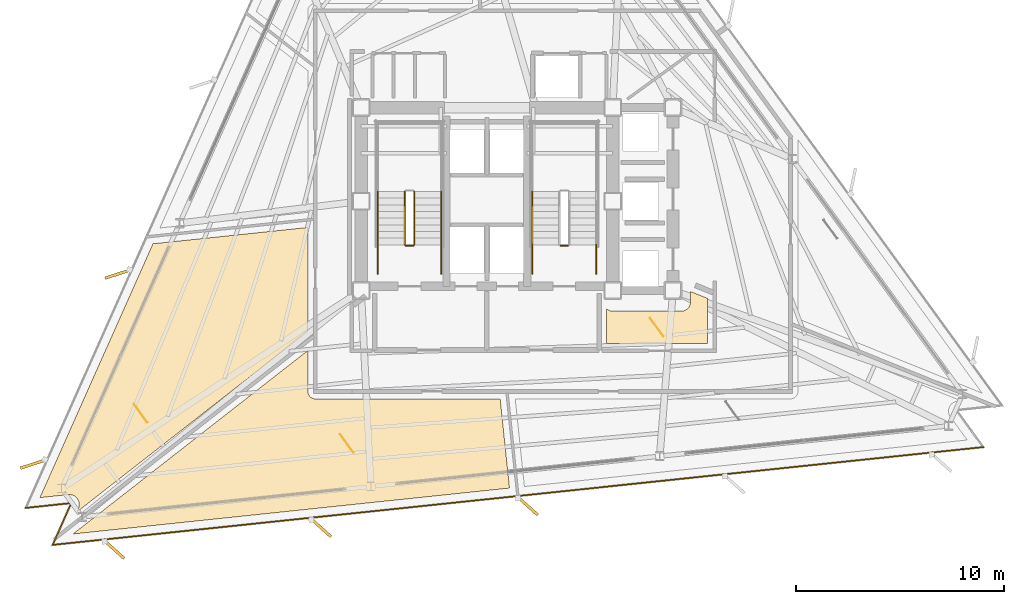
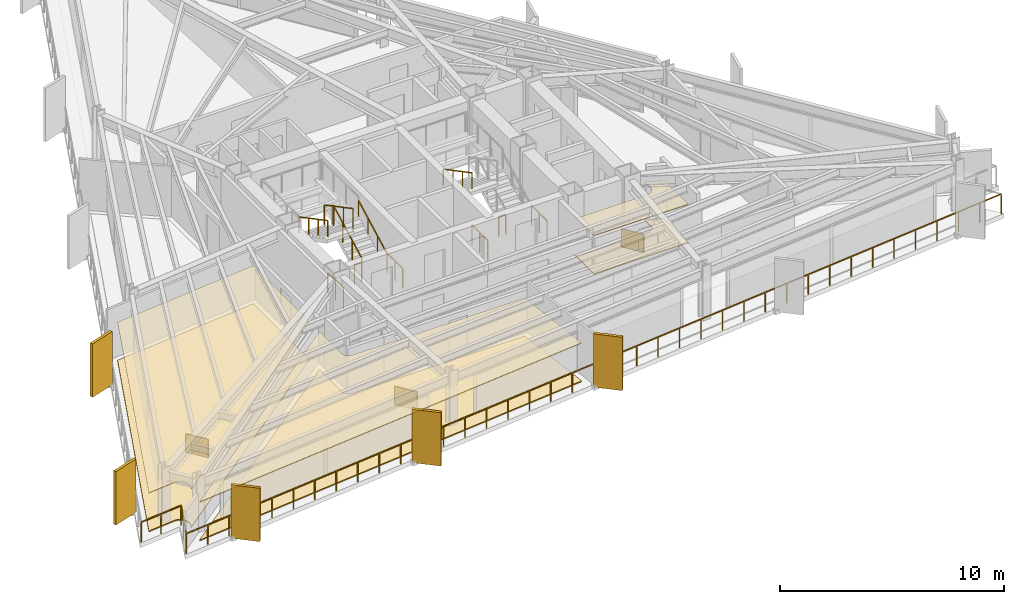
# One storey, part 10 of 12: 12 railings, 9 coverings, 5 shading devices.
"""IFC4 building model written with IfcOpenShell, lengths in metres."""

from ifc_helpers import new_model, si_unit, direction, frame, origin, origin_2d, place, context, subcontext, project, spatial, polyline, rectangle, outline, extrude, material, layer, layer_set, type_object, element, save


model = new_model("IFC4")

# Units and contexts
model_context = context("Model", 3, precision=1e-05, world=origin(), true_north=direction((0.0, 1.0)))
body_context = subcontext(model_context, "Body", "Model", "MODEL_VIEW")
ifc_project = project(units=[si_unit("LENGTHUNIT", "METRE"), si_unit("AREAUNIT", "SQUARE_METRE"), si_unit("VOLUMEUNIT", "CUBIC_METRE"), si_unit("PLANEANGLEUNIT", "RADIAN"), si_unit("MASSUNIT", "GRAM", prefix="KILO")], contexts=[model_context])

# Site, building, storey
site_placement = place(None, origin())
site = spatial("IfcSite", under=ifc_project, at=site_placement, CompositionType="ELEMENT")
building_placement = place(site_placement, origin())
building = spatial("IfcBuilding", under=site, at=building_placement, Name="Rocaltana Carrier Exchange", CompositionType="ELEMENT")
storey_placement = place(building_placement, frame((0.0, 0.0, 107.679931640625)))
storey = spatial("IfcBuildingStorey", under=building, at=storey_placement, Name="L33", CompositionType="ELEMENT", Elevation=107.679931640625)

# Coverings
ifc_material_1 = material(Name="Calcium Sulphate & Aluminium Pedestal", Category="aluminium")
ifc_layer_1 = layer(ifc_material_1, 0.06005859375)
ifc_layer_set_1 = layer_set([ifc_layer_1], Name="Calcium Sulphate & Aluminium Pedestal")
covering_type_1 = type_object("IfcCoveringType", Name="Anti-Static Raised Exchange Access Floor 60", PredefinedType="FLOORING", material=ifc_layer_set_1)
covering_1_placement = place(storey_placement, origin())
element("IfcCovering", 1, at=covering_1_placement, inside=storey, type_object=covering_type_1, Name="L33 Cloud Architecture Office Finish Floor", PredefinedType="FLOORING", context=body_context, shape_type="SweptSolid", body=[
    extrude(outline(polyline([(-19.646240234375, -14.78759765625), (-19.640869140625, -14.774658203125), (-19.633544921875, -14.756103515625), (-19.625, -14.7294921875), (-19.61962890625, -14.71044921875), (-19.613525390625, -14.68310546875), (-19.610107421875, -14.66357421875), (-19.606689453125, -14.6357421875), (-19.60546875, -14.615966796875), (-19.60498046875, -14.587890625), (-19.60546875, -14.568115234375), (-19.607666015625, -14.540283203125), (-19.6103515625, -14.5205078125), (-19.615234375, -14.492919921875), (-19.619873046875, -14.4736328125), (-19.62744140625, -14.44677734375), (-19.6337890625, -14.427978515625), (-19.644287109375, -14.402099609375), (-19.652587890625, -14.3837890625), (-19.665283203125, -14.359130859375), (-19.675537109375, -14.341796875), (-19.690673828125, -14.318603515625), (-19.702392578125, -14.30224609375), (-19.719970703125, -14.280517578125), (-19.733154296875, -14.265625), (-19.752685546875, -14.245849609375), (-19.767578125, -14.232421875), (-19.7890625, -14.214599609375), (-19.804931640625, -14.20263671875), (-19.828125, -14.18701171875), (-19.84521484375, -14.176513671875), (-19.86962890625, -14.163330078125), (-19.8876953125, -14.15478515625), (-19.91357421875, -14.14404296875), (-19.932373046875, -14.137451171875), (-19.958984375, -14.12939453125), (-19.978271484375, -14.12451171875), (-20.005615234375, -14.119140625), (-20.025390625, -14.1162109375), (-20.05322265625, -14.113525390625), (-20.072998046875, -14.11279296875), (-20.10107421875, -14.11279296875), (-20.12109375, -14.114013671875), (-20.135009765625, -14.114990234375), (-21.49609375, -14.258056640625), (-16.060791015625, -2.050048828125), (-8.610107421875, -1.266845703125), (-8.610107421875, -6.27001953125), (-19.7177734375, -14.9482421875), (-19.646240234375, -14.78759765625)])), origin(), (0.0, 0.0, 1.0), 0.06005859375),
])
covering_2_placement = place(storey_placement, origin())
element("IfcCovering", 2, at=covering_2_placement, inside=storey, type_object=covering_type_1, Name="L33 Network Operations Office Finish Floor", PredefinedType="FLOORING", context=body_context, shape_type="SweptSolid", body=[
    extrude(outline(polyline([(-19.902587890625, -16.00634765625), (-8.610107421875, -7.18359375), (-8.610107421875, -9.14990234375), (-8.609619140625, -9.163818359375), (-8.609375, -9.171630859375), (-8.606689453125, -9.198974609375), (-8.60546875, -9.206787109375), (-8.60009765625, -9.233642578125), (-8.59814453125, -9.2412109375), (-8.590087890625, -9.267578125), (-8.58740234375, -9.27490234375), (-8.576904296875, -9.30029296875), (-8.57373046875, -9.307373046875), (-8.560791015625, -9.331787109375), (-8.556640625, -9.33837890625), (-8.54150390625, -9.361083984375), (-8.53662109375, -9.367431640625), (-8.519287109375, -9.388916015625), (-8.513916015625, -9.39453125), (-8.49462890625, -9.4140625), (-8.48876953125, -9.419189453125), (-8.467529296875, -9.436767578125), (-8.461181640625, -9.44140625), (-8.4384765625, -9.456787109375), (-8.431640625, -9.460693359375), (-8.407470703125, -9.4736328125), (-8.400390625, -9.47705078125), (-8.375, -9.487548828125), (-8.36767578125, -9.490234375), (-8.34130859375, -9.498291015625), (-8.33349609375, -9.5), (-8.306640625, -9.50537109375), (-8.298828125, -9.506591796875), (-8.271484375, -9.50927734375), (-8.263671875, -9.509765625), (-8.25, -9.510009765625), (0.6376953125, -9.510009765625), (1.08837890625, -13.800048828125), (-19.902587890625, -16.00634765625)])), origin(), (0.0, 0.0, 1.0), 0.06005859375),
])
covering_3_placement = place(storey_placement, origin())
element("IfcCovering", 3, at=covering_3_placement, inside=storey, type_object=covering_type_1, Name="L33 Optical Switching Laboratory Finish Floor", PredefinedType="FLOORING", context=body_context, shape_type="SweptSolid", body=[
    extrude(outline(polyline([(5.739990234375, -6.840087890625), (5.739990234375, -5.161865234375), (5.748779296875, -5.170654296875), (5.760498046875, -5.18115234375), (5.78173828125, -5.198486328125), (5.794189453125, -5.2080078125), (5.817138671875, -5.22314453125), (5.83056640625, -5.231201171875), (5.85498046875, -5.244140625), (5.869140625, -5.2509765625), (5.894287109375, -5.261474609375), (5.9091796875, -5.2666015625), (5.935546875, -5.274658203125), (5.95068359375, -5.278564453125), (5.977783203125, -5.283935546875), (5.9931640625, -5.2861328125), (6.0205078125, -5.288818359375), (6.036376953125, -5.289794921875), (6.050048828125, -5.2900390625), (9.35009765625, -5.2900390625), (9.36376953125, -5.289794921875), (9.37939453125, -5.288818359375), (9.40673828125, -5.2861328125), (9.42236328125, -5.283935546875), (9.44921875, -5.278564453125), (9.464599609375, -5.274658203125), (9.49072265625, -5.2666015625), (9.505615234375, -5.261474609375), (9.531005859375, -5.2509765625), (9.545166015625, -5.244140625), (9.5693359375, -5.231201171875), (9.582763671875, -5.22314453125), (9.605712890625, -5.2080078125), (9.618408203125, -5.198486328125), (9.639404296875, -5.18115234375), (9.651123046875, -5.170654296875), (9.670654296875, -5.151123046875), (9.68115234375, -5.139404296875), (9.698486328125, -5.118408203125), (9.7080078125, -5.105712890625), (9.72314453125, -5.082763671875), (9.731201171875, -5.0693359375), (9.744140625, -5.045166015625), (9.7509765625, -5.031005859375), (9.761474609375, -5.005615234375), (9.7666015625, -4.99072265625), (9.774658203125, -4.964599609375), (9.778564453125, -4.94921875), (9.783935546875, -4.92236328125), (9.7861328125, -4.90673828125), (9.788818359375, -4.87939453125), (9.789794921875, -4.86376953125), (9.7900390625, -4.85009765625), (9.7900390625, -4.34375), (10.60009765625, -4.6708984375), (10.60009765625, -6.840087890625), (5.739990234375, -6.840087890625)])), origin(), (0.0, 0.0, 1.0), 0.06005859375),
])
ifc_material_2 = material(Name="Mineral Fibre & Powder-Coated Aluminium", Category="aluminium")
ifc_layer_2 = layer(ifc_material_2, 0.044921875)
ifc_layer_set_2 = layer_set([ifc_layer_2], Name="Mineral Fibre & Powder-Coated Aluminium")
covering_type_2 = type_object("IfcCoveringType", Name="Micro-Perforated Acoustic Ceiling 45", PredefinedType="CEILING", material=ifc_layer_set_2)
covering_4_placement = place(storey_placement, frame((0.0, 0.0, 2.093017578125)))
element("IfcCovering", 4, at=covering_4_placement, inside=storey, type_object=covering_type_2, Name="L33 Cloud Architecture Office Acoustic Ceiling", PredefinedType="CEILING", context=body_context, shape_type="SweptSolid", body=[
    extrude(outline(polyline([(-19.646240234375, -14.78759765625), (-19.640869140625, -14.774658203125), (-19.633544921875, -14.756103515625), (-19.625, -14.7294921875), (-19.61962890625, -14.71044921875), (-19.613525390625, -14.68310546875), (-19.610107421875, -14.66357421875), (-19.606689453125, -14.6357421875), (-19.60546875, -14.615966796875), (-19.60498046875, -14.587890625), (-19.60546875, -14.568115234375), (-19.607666015625, -14.540283203125), (-19.6103515625, -14.5205078125), (-19.615234375, -14.492919921875), (-19.619873046875, -14.4736328125), (-19.62744140625, -14.44677734375), (-19.6337890625, -14.427978515625), (-19.644287109375, -14.402099609375), (-19.652587890625, -14.3837890625), (-19.665283203125, -14.359130859375), (-19.675537109375, -14.341796875), (-19.690673828125, -14.318603515625), (-19.702392578125, -14.30224609375), (-19.719970703125, -14.280517578125), (-19.733154296875, -14.265625), (-19.752685546875, -14.245849609375), (-19.767578125, -14.232421875), (-19.7890625, -14.214599609375), (-19.804931640625, -14.20263671875), (-19.828125, -14.18701171875), (-19.84521484375, -14.176513671875), (-19.86962890625, -14.163330078125), (-19.8876953125, -14.15478515625), (-19.91357421875, -14.14404296875), (-19.932373046875, -14.137451171875), (-19.958984375, -14.12939453125), (-19.978271484375, -14.12451171875), (-20.005615234375, -14.119140625), (-20.025390625, -14.1162109375), (-20.05322265625, -14.113525390625), (-20.072998046875, -14.11279296875), (-20.10107421875, -14.11279296875), (-20.12109375, -14.114013671875), (-20.135009765625, -14.114990234375), (-21.49609375, -14.258056640625), (-16.060791015625, -2.050048828125), (-8.610107421875, -1.266845703125), (-8.610107421875, -6.27001953125), (-19.7177734375, -14.9482421875), (-19.646240234375, -14.78759765625)])), origin(), (0.0, 0.0, 1.0), 0.045166015625),
])
covering_5_placement = place(storey_placement, frame((0.0, 0.0, 2.093017578125)))
element("IfcCovering", 5, at=covering_5_placement, inside=storey, type_object=covering_type_2, Name="L33 Network Operations Office Acoustic Ceiling", PredefinedType="CEILING", context=body_context, shape_type="SweptSolid", body=[
    extrude(outline(polyline([(-19.902587890625, -16.00634765625), (-8.610107421875, -7.18359375), (-8.610107421875, -9.14990234375), (-8.609619140625, -9.163818359375), (-8.609375, -9.171630859375), (-8.606689453125, -9.198974609375), (-8.60546875, -9.206787109375), (-8.60009765625, -9.233642578125), (-8.59814453125, -9.2412109375), (-8.590087890625, -9.267578125), (-8.58740234375, -9.27490234375), (-8.576904296875, -9.30029296875), (-8.57373046875, -9.307373046875), (-8.560791015625, -9.331787109375), (-8.556640625, -9.33837890625), (-8.54150390625, -9.361083984375), (-8.53662109375, -9.367431640625), (-8.519287109375, -9.388916015625), (-8.513916015625, -9.39453125), (-8.49462890625, -9.4140625), (-8.48876953125, -9.419189453125), (-8.467529296875, -9.436767578125), (-8.461181640625, -9.44140625), (-8.4384765625, -9.456787109375), (-8.431640625, -9.460693359375), (-8.407470703125, -9.4736328125), (-8.400390625, -9.47705078125), (-8.375, -9.487548828125), (-8.36767578125, -9.490234375), (-8.34130859375, -9.498291015625), (-8.33349609375, -9.5), (-8.306640625, -9.50537109375), (-8.298828125, -9.506591796875), (-8.271484375, -9.50927734375), (-8.263671875, -9.509765625), (-8.25, -9.510009765625), (0.6376953125, -9.510009765625), (1.08837890625, -13.800048828125), (-19.902587890625, -16.00634765625)])), origin(), (0.0, 0.0, 1.0), 0.045166015625),
])
covering_6_placement = place(storey_placement, frame((0.0, 0.0, 2.093017578125)))
element("IfcCovering", 6, at=covering_6_placement, inside=storey, type_object=covering_type_2, Name="L33 Optical Switching Laboratory Acoustic Ceiling", PredefinedType="CEILING", context=body_context, shape_type="SweptSolid", body=[
    extrude(outline(polyline([(5.739990234375, -6.840087890625), (5.739990234375, -5.161865234375), (5.748779296875, -5.170654296875), (5.760498046875, -5.18115234375), (5.78173828125, -5.198486328125), (5.794189453125, -5.2080078125), (5.817138671875, -5.22314453125), (5.83056640625, -5.231201171875), (5.85498046875, -5.244140625), (5.869140625, -5.2509765625), (5.894287109375, -5.261474609375), (5.9091796875, -5.2666015625), (5.935546875, -5.274658203125), (5.95068359375, -5.278564453125), (5.977783203125, -5.283935546875), (5.9931640625, -5.2861328125), (6.0205078125, -5.288818359375), (6.036376953125, -5.289794921875), (6.050048828125, -5.2900390625), (9.35009765625, -5.2900390625), (9.36376953125, -5.289794921875), (9.37939453125, -5.288818359375), (9.40673828125, -5.2861328125), (9.42236328125, -5.283935546875), (9.44921875, -5.278564453125), (9.464599609375, -5.274658203125), (9.49072265625, -5.2666015625), (9.505615234375, -5.261474609375), (9.531005859375, -5.2509765625), (9.545166015625, -5.244140625), (9.5693359375, -5.231201171875), (9.582763671875, -5.22314453125), (9.605712890625, -5.2080078125), (9.618408203125, -5.198486328125), (9.639404296875, -5.18115234375), (9.651123046875, -5.170654296875), (9.670654296875, -5.151123046875), (9.68115234375, -5.139404296875), (9.698486328125, -5.118408203125), (9.7080078125, -5.105712890625), (9.72314453125, -5.082763671875), (9.731201171875, -5.0693359375), (9.744140625, -5.045166015625), (9.7509765625, -5.031005859375), (9.761474609375, -5.005615234375), (9.7666015625, -4.99072265625), (9.774658203125, -4.964599609375), (9.778564453125, -4.94921875), (9.783935546875, -4.92236328125), (9.7861328125, -4.90673828125), (9.788818359375, -4.87939453125), (9.789794921875, -4.86376953125), (9.7900390625, -4.85009765625), (9.7900390625, -4.34375), (10.60009765625, -4.6708984375), (10.60009765625, -6.840087890625), (5.739990234375, -6.840087890625)])), origin(), (0.0, 0.0, 1.0), 0.045166015625),
])

# Railings
ifc_material_3 = material(Name="Brushed Architectural Stainless Tube", Category="steel")
ifc_layer_3 = layer(ifc_material_3, 0.048095703125)
ifc_layer_set_3 = layer_set([ifc_layer_3], Name="Brushed Architectural Stainless Tube")
railing_type_1 = type_object("IfcRailingType", Name="Stair Wall Handrail 920", PredefinedType="HANDRAIL", material=ifc_layer_set_3)
railing_1_placement = place(storey_placement, frame((-2.18994140625, -2.10009765625, 0.1689453125)))
element("IfcRailing", 7, at=railing_1_placement, inside=storey, type_object=railing_type_1, Name="L33 ST-1 stair handrail 1", PredefinedType="HANDRAIL", context=body_context, shape_type="SweptSolid", body=[
    extrude(rectangle(XDim=0.048095703125, YDim=0.048095703125, at=origin_2d()), frame((0.0, 0.0, 0.8759765625), z_axis=(0.0, 0.884394423565, 0.466740295633), x_axis=(-1.0, 0.0, 0.0)), (0.0, 0.0, 1.0), 2.894775390625),
    extrude(rectangle(XDim=0.0419921875, YDim=0.0419921875, at=origin_2d()), origin(), (0.0, 0.0, 1.0), 0.851806640625),
    extrude(rectangle(XDim=0.0419921875, YDim=0.0419921875, at=origin_2d()), frame((0.0, 0.853271484375, 0.450439453125)), (0.0, 0.0, 1.0), 0.851806640625),
    extrude(rectangle(XDim=0.0419921875, YDim=0.0419921875, at=origin_2d()), frame((0.0, 1.706787109375, 0.900634765625)), (0.0, 0.0, 1.0), 0.851806640625),
    extrude(rectangle(XDim=0.0419921875, YDim=0.0419921875, at=origin_2d()), frame((0.0, 2.56005859375, 1.35107421875)), (0.0, 0.0, 1.0), 0.851806640625),
])
for number, where, name in (
    (8, (-5.25, 0.4599609375, 1.68896484375), "L33 ST-1 stair handrail 2"),
    (9, (2.18994140625, 0.4599609375, 1.68896484375), "L33 ST-2 stair handrail 2"),
):
    element("IfcRailing", number, at=place(storey_placement, frame(where)), inside=storey, type_object=railing_type_1, Name=name, PredefinedType="HANDRAIL", context=body_context, shape_type="SweptSolid", body=[
        extrude(rectangle(XDim=0.048095703125, YDim=0.048095703125, at=origin_2d()), frame((0.0, 0.0, 0.8759765625), z_axis=(0.0, -0.884394423565, 0.466740295633), x_axis=(1.0, 0.0, 0.0)), (0.0, 0.0, 1.0), 2.894775390625),
        extrude(rectangle(XDim=0.0419921875, YDim=0.0419921875, at=origin_2d()), origin(), (0.0, 0.0, 1.0), 0.851806640625),
        extrude(rectangle(XDim=0.0419921875, YDim=0.0419921875, at=origin_2d()), frame((0.0, -0.853271484375, 0.450439453125)), (0.0, 0.0, 1.0), 0.851806640625),
        extrude(rectangle(XDim=0.0419921875, YDim=0.0419921875, at=origin_2d()), frame((0.0, -1.706787109375, 0.900634765625)), (0.0, 0.0, 1.0), 0.851806640625),
        extrude(rectangle(XDim=0.0419921875, YDim=0.0419921875, at=origin_2d()), frame((0.0, -2.56005859375, 1.35107421875)), (0.0, 0.0, 1.0), 0.851806640625),
    ])
ifc_material_4 = material(Name="Powder-Coated Aluminium 6063-T6", Category="aluminium")
ifc_layer_4 = layer(ifc_material_4, 0.048095703125)
ifc_layer_set_4 = layer_set([ifc_layer_4], Name="Powder-Coated Aluminium 6063-T6")
railing_type_2 = type_object("IfcRailingType", Name="Stair Well Guardrail 1100", PredefinedType="GUARDRAIL", material=ifc_layer_set_4)
railing_2_placement = place(storey_placement, frame((-3.489990234375, -2.10009765625, 0.1689453125)))
element("IfcRailing", 10, at=railing_2_placement, inside=storey, type_object=railing_type_2, Name="L33 ST-1 stair guard 1", PredefinedType="GUARDRAIL", context=body_context, shape_type="SweptSolid", body=[
    extrude(rectangle(XDim=0.048095703125, YDim=0.048095703125, at=origin_2d()), frame((0.0, 0.0, 1.076171875), z_axis=(0.0, 0.884394423565, 0.466740295633), x_axis=(-1.0, 0.0, 0.0)), (0.0, 0.0, 1.0), 2.894775390625),
    extrude(rectangle(XDim=0.0419921875, YDim=0.0419921875, at=origin_2d()), origin(), (0.0, 0.0, 1.0), 1.052001953125),
    extrude(rectangle(XDim=0.0419921875, YDim=0.0419921875, at=origin_2d()), frame((0.0, 0.853271484375, 0.450439453125)), (0.0, 0.0, 1.0), 1.052001953125),
    extrude(rectangle(XDim=0.0419921875, YDim=0.0419921875, at=origin_2d()), frame((0.0, 1.706787109375, 0.900634765625)), (0.0, 0.0, 1.0), 1.052001953125),
    extrude(rectangle(XDim=0.0419921875, YDim=0.0419921875, at=origin_2d()), frame((0.0, 2.56005859375, 1.35107421875)), (0.0, 0.0, 1.0), 1.052001953125),
])
railing_3_placement = place(storey_placement, frame((-3.949951171875, 0.4599609375, 1.68896484375)))
element("IfcRailing", 11, at=railing_3_placement, inside=storey, type_object=railing_type_2, Name="L33 ST-1 stair guard 6", PredefinedType="GUARDRAIL", context=body_context, shape_type="SweptSolid", body=[
    extrude(rectangle(XDim=0.048095703125, YDim=0.048095703125, at=origin_2d()), frame((0.0, 0.0, 1.076171875), z_axis=(0.0, -0.884394423565, 0.466740295633), x_axis=(1.0, 0.0, 0.0)), (0.0, 0.0, 1.0), 2.894775390625),
    extrude(rectangle(XDim=0.0419921875, YDim=0.0419921875, at=origin_2d()), origin(), (0.0, 0.0, 1.0), 1.052001953125),
    extrude(rectangle(XDim=0.0419921875, YDim=0.0419921875, at=origin_2d()), frame((0.0, -0.853271484375, 0.450439453125)), (0.0, 0.0, 1.0), 1.052001953125),
    extrude(rectangle(XDim=0.0419921875, YDim=0.0419921875, at=origin_2d()), frame((0.0, -1.706787109375, 0.900634765625)), (0.0, 0.0, 1.0), 1.052001953125),
    extrude(rectangle(XDim=0.0419921875, YDim=0.0419921875, at=origin_2d()), frame((0.0, -2.56005859375, 1.35107421875)), (0.0, 0.0, 1.0), 1.052001953125),
])
railing_4_placement = place(storey_placement, frame((-3.5400390625, -2.14990234375, 0.0)))
element("IfcRailing", 12, at=railing_4_placement, inside=storey, type_object=railing_type_2, Name="L33 ST-1 stair guard 7", PredefinedType="GUARDRAIL", context=body_context, shape_type="SweptSolid", body=[
    extrude(rectangle(XDim=0.048095703125, YDim=0.048095703125, at=origin_2d()), frame((0.0, 0.0, 1.076171875), z_axis=(-1.0, 0.0, 0.0), x_axis=(0.0, -1.0, 0.0)), (0.0, 0.0, 1.0), 0.35986328125),
    extrude(rectangle(XDim=0.0419921875, YDim=0.0419921875, at=origin_2d()), origin(), (0.0, 0.0, 1.0), 1.052001953125),
    extrude(rectangle(XDim=0.0419921875, YDim=0.0419921875, at=origin_2d()), frame((-0.35986328125, 0.0, 0.0)), (0.0, 0.0, 1.0), 1.052001953125),
])
for number, where, name in (
    (13, (-2.18994140625, -3.5, 0.0), "L33 ST-1 stair guard 8"),
    (14, (-5.25, -3.5, 0.0), "L33 ST-1 stair guard 9"),
):
    element("IfcRailing", number, at=place(storey_placement, frame(where)), inside=storey, type_object=railing_type_2, Name=name, PredefinedType="GUARDRAIL", context=body_context, shape_type="SweptSolid", body=[
        extrude(rectangle(XDim=0.048095703125, YDim=0.048095703125, at=origin_2d()), frame((0.0, 0.0, 1.076171875), z_axis=(0.0, 1.0, 0.0), x_axis=(-1.0, 0.0, 0.0)), (0.0, 0.0, 1.0), 1.39990234375),
        extrude(rectangle(XDim=0.0419921875, YDim=0.0419921875, at=origin_2d()), origin(), (0.0, 0.0, 1.0), 1.052001953125),
        extrude(rectangle(XDim=0.0419921875, YDim=0.0419921875, at=origin_2d()), frame((0.0, 0.699951171875, 0.0)), (0.0, 0.0, 1.0), 1.052001953125),
        extrude(rectangle(XDim=0.0419921875, YDim=0.0419921875, at=origin_2d()), frame((0.0, 1.39990234375, 0.0)), (0.0, 0.0, 1.0), 1.052001953125),
    ])
railing_5_placement = place(storey_placement, frame((3.89990234375, -2.14990234375, 0.0)))
element("IfcRailing", 15, at=railing_5_placement, inside=storey, type_object=railing_type_2, Name="L33 ST-2 stair guard 7", PredefinedType="GUARDRAIL", context=body_context, shape_type="SweptSolid", body=[
    extrude(rectangle(XDim=0.048095703125, YDim=0.048095703125, at=origin_2d()), frame((0.0, 0.0, 1.076171875), z_axis=(-1.0, 0.0, 0.0), x_axis=(0.0, -1.0, 0.0)), (0.0, 0.0, 1.0), 0.35986328125),
    extrude(rectangle(XDim=0.0419921875, YDim=0.0419921875, at=origin_2d()), origin(), (0.0, 0.0, 1.0), 1.052001953125),
    extrude(rectangle(XDim=0.0419921875, YDim=0.0419921875, at=origin_2d()), frame((-0.35986328125, 0.0, 0.0)), (0.0, 0.0, 1.0), 1.052001953125),
])
for number, where, name in (
    (16, (5.25, -3.5, 0.0), "L33 ST-2 stair guard 8"),
    (17, (2.18994140625, -3.5, 0.0), "L33 ST-2 stair guard 9"),
):
    element("IfcRailing", number, at=place(storey_placement, frame(where)), inside=storey, type_object=railing_type_2, Name=name, PredefinedType="GUARDRAIL", context=body_context, shape_type="SweptSolid", body=[
        extrude(rectangle(XDim=0.048095703125, YDim=0.048095703125, at=origin_2d()), frame((0.0, 0.0, 1.076171875), z_axis=(0.0, 1.0, 0.0), x_axis=(-1.0, 0.0, 0.0)), (0.0, 0.0, 1.0), 1.39990234375),
        extrude(rectangle(XDim=0.0419921875, YDim=0.0419921875, at=origin_2d()), origin(), (0.0, 0.0, 1.0), 1.052001953125),
        extrude(rectangle(XDim=0.0419921875, YDim=0.0419921875, at=origin_2d()), frame((0.0, 0.699951171875, 0.0)), (0.0, 0.0, 1.0), 1.052001953125),
        extrude(rectangle(XDim=0.0419921875, YDim=0.0419921875, at=origin_2d()), frame((0.0, 1.39990234375, 0.0)), (0.0, 0.0, 1.0), 1.052001953125),
    ])

# Coverings
ifc_material_5 = material(Name="Honed Piedra Muneca Sandstone", Category="masonry")
ifc_layer_5 = layer(ifc_material_5, 0.034912109375)
ifc_layer_set_5 = layer_set([ifc_layer_5], Name="Honed Piedra Muneca Sandstone")
covering_type_3 = type_object("IfcCoveringType", Name="Stone Facade Cladding 35", PredefinedType="CLADDING", material=ifc_layer_set_5)
for number, where, z_axis, x_axis, name in (
    (18, (-16.6572265625, -10.19140625, 0.0), (0.0, 0.0, 1.0), (-0.587785252292, 0.809016994375, 0.0), "L33 Stone Facade Cladding Panel 1"),
    (19, (-6.735107421875, -11.655029296875, 0.0), (0.0, 0.0, 1.0), (-0.587785252292, 0.809016994375, 0.0), "L33 Stone Facade Cladding Panel 2"),
    (20, (8.169921875, -6.06494140625, 0.0), (0.0, 0.0, 1.0), (-0.587785252292, 0.809016994375, 0.0), "L33 Stone Facade Cladding Panel 4"),
):
    element("IfcCovering", number, at=place(storey_placement, frame(where, z_axis=z_axis, x_axis=x_axis)), inside=storey, type_object=covering_type_3, Name=name, PredefinedType="CLADDING", context=body_context, shape_type="SweptSolid", body=[
        extrude(rectangle(XDim=1.10009765625, YDim=0.034912109375, at=origin_2d()), origin(), (0.0, 0.0, 1.0), 1.050048828125),
    ])

# Shading devices
ifc_material_6 = material(Name="Honed Bogota Sandstone & Concrete C45/55", Category="masonry")
ifc_layer_6 = layer(ifc_material_6, 0.139892578125)
ifc_layer_set_6 = layer_set([ifc_layer_6], Name="Honed Bogota Sandstone & Concrete C45/55")
shading_device_type = type_object("IfcShadingDeviceType", Name="Vertical Sandstone Shading Fin 1320x140", PredefinedType="USERDEFINED", material=ifc_layer_set_6)
for number, where, z_axis, x_axis, name in (
    (21, (-17.7373046875, -3.50341796875, -0.1201171875), (0.0, 0.0, 1.0), (-0.951056516295, -0.309016994375, 0.0), "L33 Sandstone Vertical Fin F2-04"),
    (22, (-21.8046875, -12.638671875, -0.1201171875), (0.0, 0.0, 1.0), (-0.951056516295, -0.309016994375, 0.0), "L33 Sandstone Vertical Fin F2-05"),
    (23, (-17.93310546875, -16.745361328125, -0.1201171875), (0.0, 0.0, 1.0), (0.743144825477, -0.669130606359, 0.0), "L33 Sandstone Vertical Fin F3-01"),
    (24, (-7.98779296875, -15.699951171875, -0.1201171875), (0.0, 0.0, 1.0), (0.743144825477, -0.669130606359, 0.0), "L33 Sandstone Vertical Fin F3-02"),
    (25, (1.95751953125, -14.65478515625, -0.1201171875), (0.0, 0.0, 1.0), (0.743144825477, -0.669130606359, 0.0), "L33 Sandstone Vertical Fin F3-03"),
):
    element("IfcShadingDevice", number, at=place(storey_placement, frame(where, z_axis=z_axis, x_axis=x_axis)), inside=storey, type_object=shading_device_type, Name=name, ObjectType="FIN", PredefinedType="USERDEFINED", context=body_context, shape_type="SweptSolid", body=[
        extrude(rectangle(XDim=1.320068359375, YDim=0.139892578125, at=origin_2d()), origin(), (0.0, 0.0, 1.0), 2.907958984375),
    ])

# Railing
ifc_material_7 = material(Name="Powder-Coated Aluminium 6063-T6", Category="aluminium")
ifc_layer_7 = layer(ifc_material_7, 0.06005859375)
ifc_layer_set_7 = layer_set([ifc_layer_7], Name="Powder-Coated Aluminium 6063-T6")
railing_type_3 = type_object("IfcRailingType", Name="Wind-Floor & Terrace Perimeter Guardrail 1100", PredefinedType="GUARDRAIL", material=ifc_layer_set_7)
railing_6_placement = place(storey_placement, frame((23.86328125, -11.82861328125, 0.0)))
element("IfcRailing", 26, at=railing_6_placement, inside=storey, type_object=railing_type_3, Name="L33 Perimeter Balcony Guardrail 1", PredefinedType="GUARDRAIL", context=body_context, shape_type="SweptSolid", body=[
    extrude(rectangle(XDim=0.048095703125, YDim=0.048095703125, at=origin_2d()), frame((0.0, 0.0, 1.076171875), z_axis=(-0.994521497127, -0.104532252211, 0.0), x_axis=(0.104532252211, -0.994521497127, 0.0)), (0.0, 0.0, 1.0), 44.9921875),
    extrude(rectangle(XDim=0.048095703125, YDim=0.048095703125, at=origin_2d()), frame((-44.74560546875, -4.703125, 1.076171875), z_axis=(0.406725294076, 0.913550510459, 0.0), x_axis=(-0.913550510459, 0.406725294076, 0.0)), (0.0, 0.0, 1.0), 2.199951171875),
    extrude(rectangle(XDim=0.048095703125, YDim=0.048095703125, at=origin_2d()), frame((-43.850830078125, -2.693359375, 1.076171875), z_axis=(-0.994521251134, -0.104534592565, 0.0), x_axis=(0.104534592565, -0.994521251134, 0.0)), (0.0, 0.0, 1.0), 2.199951171875),
    extrude(rectangle(XDim=0.0419921875, YDim=0.0419921875, at=origin_2d()), origin(), (0.0, 0.0, 1.0), 1.052001953125),
    extrude(rectangle(XDim=0.0419921875, YDim=0.0419921875, at=origin_2d()), frame((-1.177490234375, -0.123779296875, 0.0)), (0.0, 0.0, 1.0), 1.052001953125),
    extrude(rectangle(XDim=0.0419921875, YDim=0.0419921875, at=origin_2d()), frame((-2.35498046875, -0.24755859375, 0.0)), (0.0, 0.0, 1.0), 1.052001953125),
    extrude(rectangle(XDim=0.0419921875, YDim=0.0419921875, at=origin_2d()), frame((-3.532470703125, -0.371337890625, 0.0)), (0.0, 0.0, 1.0), 1.052001953125),
    extrude(rectangle(XDim=0.0419921875, YDim=0.0419921875, at=origin_2d()), frame((-4.7099609375, -0.4951171875, 0.0)), (0.0, 0.0, 1.0), 1.052001953125),
    extrude(rectangle(XDim=0.0419921875, YDim=0.0419921875, at=origin_2d()), frame((-5.8876953125, -0.618896484375, 0.0)), (0.0, 0.0, 1.0), 1.052001953125),
    extrude(rectangle(XDim=0.0419921875, YDim=0.0419921875, at=origin_2d()), frame((-7.065185546875, -0.74267578125, 0.0)), (0.0, 0.0, 1.0), 1.052001953125),
    extrude(rectangle(XDim=0.0419921875, YDim=0.0419921875, at=origin_2d()), frame((-8.24267578125, -0.866455078125, 0.0)), (0.0, 0.0, 1.0), 1.052001953125),
    extrude(rectangle(XDim=0.0419921875, YDim=0.0419921875, at=origin_2d()), frame((-9.420166015625, -0.990234375, 0.0)), (0.0, 0.0, 1.0), 1.052001953125),
    extrude(rectangle(XDim=0.0419921875, YDim=0.0419921875, at=origin_2d()), frame((-10.59765625, -1.114013671875, 0.0)), (0.0, 0.0, 1.0), 1.052001953125),
    extrude(rectangle(XDim=0.0419921875, YDim=0.0419921875, at=origin_2d()), frame((-11.775146484375, -1.237548828125, 0.0)), (0.0, 0.0, 1.0), 1.052001953125),
    extrude(rectangle(XDim=0.0419921875, YDim=0.0419921875, at=origin_2d()), frame((-12.95263671875, -1.361328125, 0.0)), (0.0, 0.0, 1.0), 1.052001953125),
    extrude(rectangle(XDim=0.0419921875, YDim=0.0419921875, at=origin_2d()), frame((-14.130126953125, -1.485107421875, 0.0)), (0.0, 0.0, 1.0), 1.052001953125),
    extrude(rectangle(XDim=0.0419921875, YDim=0.0419921875, at=origin_2d()), frame((-15.3076171875, -1.60888671875, 0.0)), (0.0, 0.0, 1.0), 1.052001953125),
    extrude(rectangle(XDim=0.0419921875, YDim=0.0419921875, at=origin_2d()), frame((-16.485107421875, -1.732666015625, 0.0)), (0.0, 0.0, 1.0), 1.052001953125),
    extrude(rectangle(XDim=0.0419921875, YDim=0.0419921875, at=origin_2d()), frame((-17.662841796875, -1.8564453125, 0.0)), (0.0, 0.0, 1.0), 1.052001953125),
    extrude(rectangle(XDim=0.0419921875, YDim=0.0419921875, at=origin_2d()), frame((-18.84033203125, -1.980224609375, 0.0)), (0.0, 0.0, 1.0), 1.052001953125),
    extrude(rectangle(XDim=0.0419921875, YDim=0.0419921875, at=origin_2d()), frame((-20.017822265625, -2.10400390625, 0.0)), (0.0, 0.0, 1.0), 1.052001953125),
    extrude(rectangle(XDim=0.0419921875, YDim=0.0419921875, at=origin_2d()), frame((-21.1953125, -2.227783203125, 0.0)), (0.0, 0.0, 1.0), 1.052001953125),
    extrude(rectangle(XDim=0.0419921875, YDim=0.0419921875, at=origin_2d()), frame((-22.372802734375, -2.3515625, 0.0)), (0.0, 0.0, 1.0), 1.052001953125),
    extrude(rectangle(XDim=0.0419921875, YDim=0.0419921875, at=origin_2d()), frame((-23.55029296875, -2.475341796875, 0.0)), (0.0, 0.0, 1.0), 1.052001953125),
    extrude(rectangle(XDim=0.0419921875, YDim=0.0419921875, at=origin_2d()), frame((-24.727783203125, -2.59912109375, 0.0)), (0.0, 0.0, 1.0), 1.052001953125),
    extrude(rectangle(XDim=0.0419921875, YDim=0.0419921875, at=origin_2d()), frame((-25.9052734375, -2.722900390625, 0.0)), (0.0, 0.0, 1.0), 1.052001953125),
    extrude(rectangle(XDim=0.0419921875, YDim=0.0419921875, at=origin_2d()), frame((-27.082763671875, -2.8466796875, 0.0)), (0.0, 0.0, 1.0), 1.052001953125),
    extrude(rectangle(XDim=0.0419921875, YDim=0.0419921875, at=origin_2d()), frame((-28.260498046875, -2.970458984375, 0.0)), (0.0, 0.0, 1.0), 1.052001953125),
    extrude(rectangle(XDim=0.0419921875, YDim=0.0419921875, at=origin_2d()), frame((-29.43798828125, -3.09423828125, 0.0)), (0.0, 0.0, 1.0), 1.052001953125),
    extrude(rectangle(XDim=0.0419921875, YDim=0.0419921875, at=origin_2d()), frame((-30.615478515625, -3.218017578125, 0.0)), (0.0, 0.0, 1.0), 1.052001953125),
    extrude(rectangle(XDim=0.0419921875, YDim=0.0419921875, at=origin_2d()), frame((-31.79296875, -3.341796875, 0.0)), (0.0, 0.0, 1.0), 1.052001953125),
    extrude(rectangle(XDim=0.0419921875, YDim=0.0419921875, at=origin_2d()), frame((-32.970458984375, -3.465576171875, 0.0)), (0.0, 0.0, 1.0), 1.052001953125),
    extrude(rectangle(XDim=0.0419921875, YDim=0.0419921875, at=origin_2d()), frame((-34.14794921875, -3.589111328125, 0.0)), (0.0, 0.0, 1.0), 1.052001953125),
    extrude(rectangle(XDim=0.0419921875, YDim=0.0419921875, at=origin_2d()), frame((-35.325439453125, -3.712890625, 0.0)), (0.0, 0.0, 1.0), 1.052001953125),
    extrude(rectangle(XDim=0.0419921875, YDim=0.0419921875, at=origin_2d()), frame((-36.5029296875, -3.836669921875, 0.0)), (0.0, 0.0, 1.0), 1.052001953125),
    extrude(rectangle(XDim=0.0419921875, YDim=0.0419921875, at=origin_2d()), frame((-37.680419921875, -3.96044921875, 0.0)), (0.0, 0.0, 1.0), 1.052001953125),
    extrude(rectangle(XDim=0.0419921875, YDim=0.0419921875, at=origin_2d()), frame((-38.85791015625, -4.084228515625, 0.0)), (0.0, 0.0, 1.0), 1.052001953125),
    extrude(rectangle(XDim=0.0419921875, YDim=0.0419921875, at=origin_2d()), frame((-40.03564453125, -4.2080078125, 0.0)), (0.0, 0.0, 1.0), 1.052001953125),
    extrude(rectangle(XDim=0.0419921875, YDim=0.0419921875, at=origin_2d()), frame((-41.213134765625, -4.331787109375, 0.0)), (0.0, 0.0, 1.0), 1.052001953125),
    extrude(rectangle(XDim=0.0419921875, YDim=0.0419921875, at=origin_2d()), frame((-42.390625, -4.45556640625, 0.0)), (0.0, 0.0, 1.0), 1.052001953125),
    extrude(rectangle(XDim=0.0419921875, YDim=0.0419921875, at=origin_2d()), frame((-43.568115234375, -4.579345703125, 0.0)), (0.0, 0.0, 1.0), 1.052001953125),
    extrude(rectangle(XDim=0.0419921875, YDim=0.0419921875, at=origin_2d()), frame((-44.74560546875, -4.703125, 0.0)), (0.0, 0.0, 1.0), 1.052001953125),
    extrude(rectangle(XDim=0.0419921875, YDim=0.0419921875, at=origin_2d()), frame((-44.29833984375, -3.6982421875, 0.0)), (0.0, 0.0, 1.0), 1.052001953125),
    extrude(rectangle(XDim=0.0419921875, YDim=0.0419921875, at=origin_2d()), frame((-43.850830078125, -2.693359375, 0.0)), (0.0, 0.0, 1.0), 1.052001953125),
    extrude(rectangle(XDim=0.0419921875, YDim=0.0419921875, at=origin_2d()), frame((-44.94482421875, -2.808349609375, 0.0)), (0.0, 0.0, 1.0), 1.052001953125),
    extrude(rectangle(XDim=0.0419921875, YDim=0.0419921875, at=origin_2d()), frame((-46.038818359375, -2.92333984375, 0.0)), (0.0, 0.0, 1.0), 1.052001953125),
])

save(model, "model.ifc")
